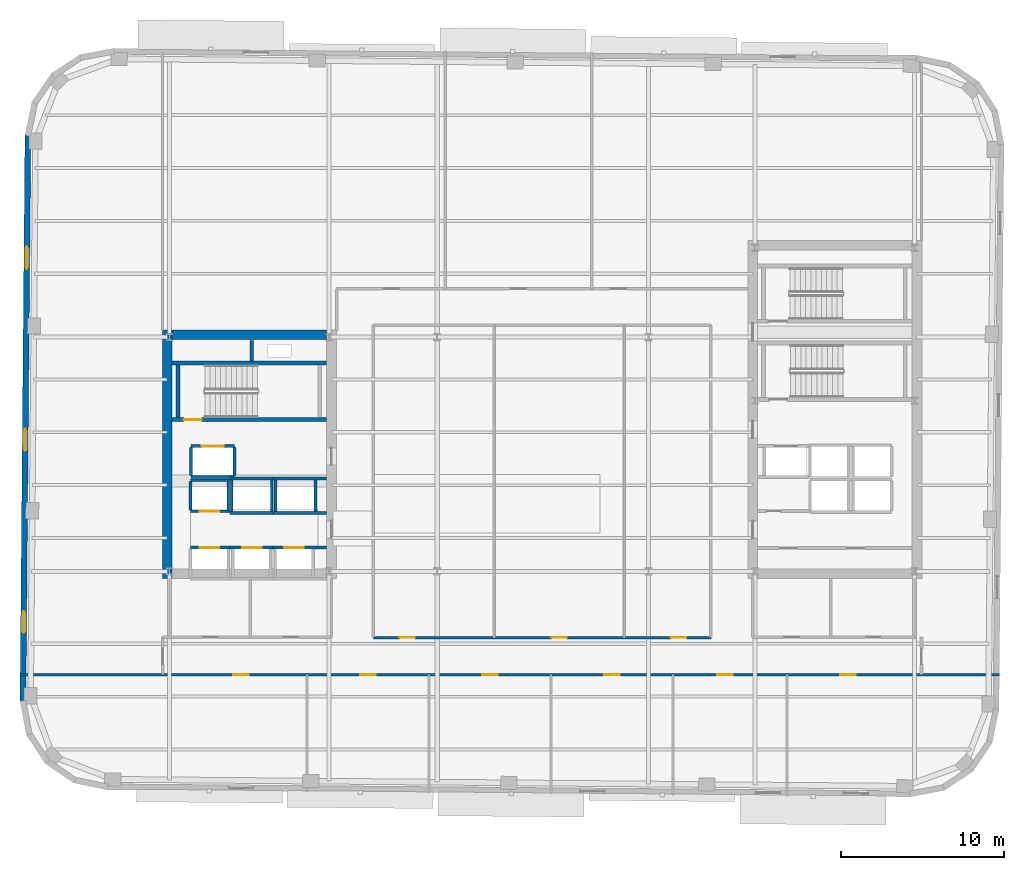
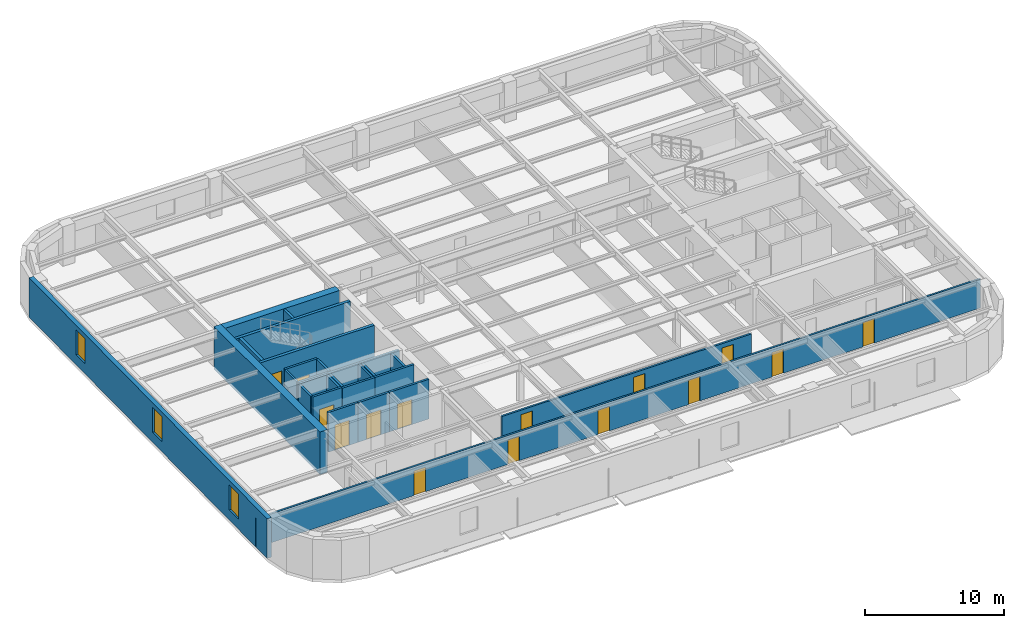
# One storey, part 4 of 11: 28 walls, 15 doors, 3 windows, 18 openings.
"""IFC4 building model written with IfcOpenShell, lengths in metres."""

from ifc_helpers import new_model, si_unit, direction, frame, frame_2d, origin, place, context, subcontext, project, spatial, rectangle, extrude, material, layer, layer_set, type_object, element, fill, save


model = new_model("IFC4")

# Units and contexts
model_context = context("Model", 3, precision=1e-05, world=origin(), true_north=direction((0.0, 1.0)))
body_context = subcontext(model_context, "Body", "Model", "MODEL_VIEW")
ifc_project = project(units=[si_unit("LENGTHUNIT", "METRE"), si_unit("AREAUNIT", "SQUARE_METRE"), si_unit("VOLUMEUNIT", "CUBIC_METRE"), si_unit("PLANEANGLEUNIT", "RADIAN"), si_unit("MASSUNIT", "GRAM", prefix="KILO")], contexts=[model_context])

# Site, building, storey
site_placement = place(None, origin())
site = spatial("IfcSite", under=ifc_project, at=site_placement, CompositionType="ELEMENT")
building_placement = place(site_placement, origin())
building = spatial("IfcBuilding", under=site, at=building_placement, Name="Kolvaren Arena Tower", CompositionType="ELEMENT")
storey_placement = place(building_placement, frame((0.0, 0.0, 195.949951171875)))
storey = spatial("IfcBuildingStorey", under=building, at=storey_placement, Name="L47", CompositionType="ELEMENT", Elevation=195.949951171875)

# Wall, openings, doors
ifc_material_1 = material(Name="Gypsum board acoustic assembly", Category="gypsum")
ifc_layer_1 = layer(ifc_material_1, 0.159912109375)
ifc_layer_set_1 = layer_set([ifc_layer_1], Name="Gypsum board acoustic assembly")
wall_type_1 = type_object("IfcWallType", Name="CORR-160", PredefinedType="PARTITIONING", material=ifc_layer_set_1)
wall_1_placement = place(storey_placement, frame((5.363525390625, 13.10009765625, 0.0), z_axis=(0.0, 0.0, 1.0), x_axis=(1.0, 0.0, 0.0)))
wall_1 = element("IfcWall", 1, at=wall_1_placement, inside=storey, type_object=wall_type_1, Name="Interior Partition Wall (L47)", PredefinedType="PARTITIONING", context=body_context, shape_type="SweptSolid", body=[
    extrude(rectangle(XDim=60.202392578125, YDim=0.159912109375, at=frame_2d((30.10107421875, 0.0))), origin(), (0.0, 0.0, 1.0), 2.5400390625),
])
opening_1_placement = place(wall_1_placement, frame((13.111328125, 0.0, 0.0)))
opening_1 = element("IfcOpeningElement", 2, at=opening_1_placement, cuts=wall_1, Name="Opening D05", PredefinedType="OPENING", context=body_context, shape_type="SweptSolid", body=[
    extrude(rectangle(XDim=0.949951171875, YDim=2.14990234375, at=frame_2d((0.47509765625, 1.074951171875))), frame((0.0, 0.08984375, 0.0), z_axis=(0.0, -1.0, 0.0), x_axis=(1.0, 0.0, 0.0)), (0.0, 0.0, 1.0), 0.179931640625),
])
opening_2_placement = place(wall_1_placement, frame((20.911376953125, 0.0, 0.0)))
opening_2 = element("IfcOpeningElement", 3, at=opening_2_placement, cuts=wall_1, Name="Opening D05", PredefinedType="OPENING", context=body_context, shape_type="SweptSolid", body=[
    extrude(rectangle(XDim=0.949951171875, YDim=2.14990234375, at=frame_2d((0.47509765625, 1.074951171875))), frame((0.0, 0.08984375, 0.0), z_axis=(0.0, -1.0, 0.0), x_axis=(1.0, 0.0, 0.0)), (0.0, 0.0, 1.0), 0.179931640625),
])
opening_3_placement = place(wall_1_placement, frame((28.411376953125, 0.0, 0.0)))
opening_3 = element("IfcOpeningElement", 4, at=opening_3_placement, cuts=wall_1, Name="Opening D05", PredefinedType="OPENING", context=body_context, shape_type="SweptSolid", body=[
    extrude(rectangle(XDim=0.949951171875, YDim=2.14990234375, at=frame_2d((0.47509765625, 1.074951171875))), frame((0.0, 0.08984375, 0.0), z_axis=(0.0, -1.0, 0.0), x_axis=(1.0, 0.0, 0.0)), (0.0, 0.0, 1.0), 0.179931640625),
])
opening_4_placement = place(wall_1_placement, frame((35.911376953125, 0.0, 0.0)))
opening_4 = element("IfcOpeningElement", 5, at=opening_4_placement, cuts=wall_1, Name="Opening D05", PredefinedType="OPENING", context=body_context, shape_type="SweptSolid", body=[
    extrude(rectangle(XDim=0.949951171875, YDim=2.14990234375, at=frame_2d((0.47509765625, 1.074951171875))), frame((0.0, 0.08984375, 0.0), z_axis=(0.0, -1.0, 0.0), x_axis=(1.0, 0.0, 0.0)), (0.0, 0.0, 1.0), 0.179931640625),
])
opening_5_placement = place(wall_1_placement, frame((42.861328125, 0.0, 0.0)))
opening_5 = element("IfcOpeningElement", 6, at=opening_5_placement, cuts=wall_1, Name="Opening D05", PredefinedType="OPENING", context=body_context, shape_type="SweptSolid", body=[
    extrude(rectangle(XDim=0.949951171875, YDim=2.14990234375, at=frame_2d((0.47509765625, 1.074951171875))), frame((0.0, 0.08984375, 0.0), z_axis=(0.0, -1.0, 0.0), x_axis=(1.0, 0.0, 0.0)), (0.0, 0.0, 1.0), 0.179931640625),
])
opening_6_placement = place(wall_1_placement, frame((50.411376953125, 0.0, 0.0)))
opening_6 = element("IfcOpeningElement", 7, at=opening_6_placement, cuts=wall_1, Name="Opening D05", PredefinedType="OPENING", context=body_context, shape_type="SweptSolid", body=[
    extrude(rectangle(XDim=0.949951171875, YDim=2.14990234375, at=frame_2d((0.47509765625, 1.074951171875))), frame((0.0, 0.08984375, 0.0), z_axis=(0.0, -1.0, 0.0), x_axis=(1.0, 0.0, 0.0)), (0.0, 0.0, 1.0), 0.179931640625),
])
ifc_material_2 = material(Name="Solid-core oak acoustic office door", Category="wood")
door_type_1 = type_object("IfcDoorType", Name="DOOR-OF-095", OperationType="NOTDEFINED", PredefinedType="DOOR", material=ifc_material_2)
door_1_placement = place(opening_1_placement, origin())
door_1 = element("IfcDoor", 8, at=door_1_placement, inside=storey, type_object=door_type_1, Name="Design Studio Door (L47)", OperationType="SINGLE_SWING_LEFT", OverallHeight=2.14990234375, OverallWidth=0.949951171875, PredefinedType="DOOR", context=body_context, shape_type="SweptSolid", body=[
    extrude(rectangle(XDim=0.949951171875, YDim=2.14990234375, at=frame_2d((0.47509765625, 1.074951171875))), frame((0.0, 0.02490234375, 0.0), z_axis=(0.0, -1.0, 0.0), x_axis=(1.0, 0.0, 0.0)), (0.0, 0.0, 1.0), 0.050048828125),
])
fill(opening_1, door_1)
door_2_placement = place(opening_2_placement, origin())
door_2 = element("IfcDoor", 9, at=door_2_placement, inside=storey, type_object=door_type_1, Name="Open Plan Office Door (L47)", OperationType="SINGLE_SWING_RIGHT", OverallHeight=2.14990234375, OverallWidth=0.949951171875, PredefinedType="DOOR", context=body_context, shape_type="SweptSolid", body=[
    extrude(rectangle(XDim=0.949951171875, YDim=2.14990234375, at=frame_2d((0.47509765625, 1.074951171875))), frame((0.0, 0.02490234375, 0.0), z_axis=(0.0, -1.0, 0.0), x_axis=(1.0, 0.0, 0.0)), (0.0, 0.0, 1.0), 0.050048828125),
])
fill(opening_2, door_2)
door_3_placement = place(opening_3_placement, origin())
door_3 = element("IfcDoor", 10, at=door_3_placement, inside=storey, type_object=door_type_1, Name="Design Studio Door (L47)", OperationType="SINGLE_SWING_LEFT", OverallHeight=2.14990234375, OverallWidth=0.949951171875, PredefinedType="DOOR", context=body_context, shape_type="SweptSolid", body=[
    extrude(rectangle(XDim=0.949951171875, YDim=2.14990234375, at=frame_2d((0.47509765625, 1.074951171875))), frame((0.0, 0.02490234375, 0.0), z_axis=(0.0, -1.0, 0.0), x_axis=(1.0, 0.0, 0.0)), (0.0, 0.0, 1.0), 0.050048828125),
])
fill(opening_3, door_3)
door_4_placement = place(opening_4_placement, origin())
door_4 = element("IfcDoor", 11, at=door_4_placement, inside=storey, type_object=door_type_1, Name="Wellness Room Door (L47)", OperationType="SINGLE_SWING_RIGHT", OverallHeight=2.14990234375, OverallWidth=0.949951171875, PredefinedType="DOOR", context=body_context, shape_type="SweptSolid", body=[
    extrude(rectangle(XDim=0.949951171875, YDim=2.14990234375, at=frame_2d((0.47509765625, 1.074951171875))), frame((0.0, 0.02490234375, 0.0), z_axis=(0.0, -1.0, 0.0), x_axis=(1.0, 0.0, 0.0)), (0.0, 0.0, 1.0), 0.050048828125),
])
fill(opening_4, door_4)
door_5_placement = place(opening_5_placement, origin())
door_5 = element("IfcDoor", 12, at=door_5_placement, inside=storey, type_object=door_type_1, Name="Boardroom Door (L47)", OperationType="SINGLE_SWING_LEFT", OverallHeight=2.14990234375, OverallWidth=0.949951171875, PredefinedType="DOOR", context=body_context, shape_type="SweptSolid", body=[
    extrude(rectangle(XDim=0.949951171875, YDim=2.14990234375, at=frame_2d((0.47509765625, 1.074951171875))), frame((0.0, 0.02490234375, 0.0), z_axis=(0.0, -1.0, 0.0), x_axis=(1.0, 0.0, 0.0)), (0.0, 0.0, 1.0), 0.050048828125),
])
fill(opening_5, door_5)
door_6_placement = place(opening_6_placement, origin())
door_6 = element("IfcDoor", 13, at=door_6_placement, inside=storey, type_object=door_type_1, Name="Breakout Pantry and Kitchen Door (L47)", OperationType="SINGLE_SWING_RIGHT", OverallHeight=2.14990234375, OverallWidth=0.949951171875, PredefinedType="DOOR", context=body_context, shape_type="SweptSolid", body=[
    extrude(rectangle(XDim=0.949951171875, YDim=2.14990234375, at=frame_2d((0.47509765625, 1.074951171875))), frame((0.0, 0.02490234375, 0.0), z_axis=(0.0, -1.0, 0.0), x_axis=(1.0, 0.0, 0.0)), (0.0, 0.0, 1.0), 0.050048828125),
])
fill(opening_6, door_6)

wall_2_placement = place(storey_placement, frame((27.080078125, 15.3798828125, 0.0), z_axis=(0.0, 0.0, 1.0), x_axis=(1.0, 0.0, 0.0)))
wall_2 = element("IfcWall", 14, at=wall_2_placement, inside=storey, type_object=wall_type_1, Name="Interior Partition Wall (L47)", PredefinedType="PARTITIONING", context=body_context, shape_type="SweptSolid", body=[
    extrude(rectangle(XDim=20.739990234375, YDim=0.159912109375, at=frame_2d((10.3701171875, 0.0))), origin(), (0.0, 0.0, 1.0), 2.5400390625),
])
opening_7_placement = place(wall_2_placement, frame((1.594970703125, 0.0, 0.0)))
opening_7 = element("IfcOpeningElement", 15, at=opening_7_placement, cuts=wall_2, Name="Opening D05", PredefinedType="OPENING", context=body_context, shape_type="SweptSolid", body=[
    extrude(rectangle(XDim=0.949951171875, YDim=2.14990234375, at=frame_2d((0.47509765625, 1.074951171875))), frame((0.0, 0.08984375, 0.0), z_axis=(0.0, -1.0, 0.0), x_axis=(1.0, 0.0, 0.0)), (0.0, 0.0, 1.0), 0.179931640625),
])
opening_8_placement = place(wall_2_placement, frame((10.945068359375, 0.0, 0.0)))
opening_8 = element("IfcOpeningElement", 16, at=opening_8_placement, cuts=wall_2, Name="Opening D05", PredefinedType="OPENING", context=body_context, shape_type="SweptSolid", body=[
    extrude(rectangle(XDim=0.949951171875, YDim=2.14990234375, at=frame_2d((0.47509765625, 1.074951171875))), frame((0.0, 0.08984375, 0.0), z_axis=(0.0, -1.0, 0.0), x_axis=(1.0, 0.0, 0.0)), (0.0, 0.0, 1.0), 0.179931640625),
])
opening_9_placement = place(wall_2_placement, frame((18.294921875, 0.0, 0.0)))
opening_9 = element("IfcOpeningElement", 17, at=opening_9_placement, cuts=wall_2, Name="Opening D05", PredefinedType="OPENING", context=body_context, shape_type="SweptSolid", body=[
    extrude(rectangle(XDim=0.949951171875, YDim=2.14990234375, at=frame_2d((0.47509765625, 1.074951171875))), frame((0.0, 0.08984375, 0.0), z_axis=(0.0, -1.0, 0.0), x_axis=(1.0, 0.0, 0.0)), (0.0, 0.0, 1.0), 0.179931640625),
])
door_7_placement = place(opening_7_placement, origin())
door_7 = element("IfcDoor", 18, at=door_7_placement, inside=storey, type_object=door_type_1, Name="Wellness Room Door (L47)", OperationType="SINGLE_SWING_RIGHT", OverallHeight=2.14990234375, OverallWidth=0.949951171875, PredefinedType="DOOR", context=body_context, shape_type="SweptSolid", body=[
    extrude(rectangle(XDim=0.949951171875, YDim=2.14990234375, at=frame_2d((0.47509765625, 1.074951171875))), frame((0.0, 0.02490234375, 0.0), z_axis=(0.0, -1.0, 0.0), x_axis=(1.0, 0.0, 0.0)), (0.0, 0.0, 1.0), 0.050048828125),
])
fill(opening_7, door_7)
door_8_placement = place(opening_8_placement, origin())
door_8 = element("IfcDoor", 19, at=door_8_placement, inside=storey, type_object=door_type_1, Name="Corporate Project Office Door (L47)", OperationType="SINGLE_SWING_LEFT", OverallHeight=2.14990234375, OverallWidth=0.949951171875, PredefinedType="DOOR", context=body_context, shape_type="SweptSolid", body=[
    extrude(rectangle(XDim=0.949951171875, YDim=2.14990234375, at=frame_2d((0.47509765625, 1.074951171875))), frame((0.0, 0.02490234375, 0.0), z_axis=(0.0, -1.0, 0.0), x_axis=(1.0, 0.0, 0.0)), (0.0, 0.0, 1.0), 0.050048828125),
])
fill(opening_8, door_8)
door_9_placement = place(opening_9_placement, origin())
door_9 = element("IfcDoor", 20, at=door_9_placement, inside=storey, type_object=door_type_1, Name="Breakout Pantry and Kitchen Door (L47)", OperationType="SINGLE_SWING_RIGHT", OverallHeight=2.14990234375, OverallWidth=0.949951171875, PredefinedType="DOOR", context=body_context, shape_type="SweptSolid", body=[
    extrude(rectangle(XDim=0.949951171875, YDim=2.14990234375, at=frame_2d((0.47509765625, 1.074951171875))), frame((0.0, 0.02490234375, 0.0), z_axis=(0.0, -1.0, 0.0), x_axis=(1.0, 0.0, 0.0)), (0.0, 0.0, 1.0), 0.050048828125),
])
fill(opening_9, door_9)

# Walls
ifc_material_3 = material(Name="Concrete 60 MPa", Category="concrete")
ifc_layer_2 = layer(ifc_material_3, 0.60009765625)
ifc_layer_set_2 = layer_set([ifc_layer_2], Name="Concrete 60 MPa")
wall_type_2 = type_object("IfcWallType", Name="CWALL-600", PredefinedType="SHEAR", material=ifc_layer_set_2)
wall_3_placement = place(storey_placement, frame((14.39990234375, 19.0, -0.27001953125), z_axis=(0.0, 0.0, 1.0), x_axis=(0.0, 1.0, 0.0)))
element("IfcWall", 21, at=wall_3_placement, inside=storey, type_object=wall_type_2, Name="Core Shear Wall WC-WEST (L47)", PredefinedType="SHEAR", context=body_context, shape_type="SweptSolid", body=[
    extrude(rectangle(XDim=15.300048828125, YDim=0.60009765625, at=frame_2d((7.64990234375, 0.0))), origin(), (0.0, 0.0, 1.0), 3.75),
])
wall_4_placement = place(storey_placement, frame((14.699951171875, 34.0, -0.27001953125), z_axis=(0.0, 0.0, 1.0), x_axis=(1.0, 0.0, 0.0)))
element("IfcWall", 22, at=wall_4_placement, inside=storey, type_object=wall_type_2, Name="Core Shear Wall WC-NORTH (L47)", PredefinedType="SHEAR", context=body_context, shape_type="SweptSolid", body=[
    extrude(rectangle(XDim=9.5, YDim=0.60009765625, at=frame_2d((4.75, 0.0))), origin(), (0.0, 0.0, 1.0), 3.75),
])

# Wall, openings, windows
ifc_material_4 = material(Name="Precast concrete C50/60", Category="concrete")
ifc_layer_3 = layer(ifc_material_4, 0.360107421875)
ifc_layer_set_3 = layer_set([ifc_layer_3], Name="Precast concrete C50/60")
wall_type_3 = type_object("IfcWallType", Name="EXT-PIER2", PredefinedType="SOLIDWALL", material=ifc_layer_set_3)
wall_5_placement = place(storey_placement, frame((5.529296875, 11.461669921875, 0.0), z_axis=(0.0, 0.0, 1.0), x_axis=(0.008727287311, 0.999961916503, 0.0)))
wall_5 = element("IfcWall", 23, at=wall_5_placement, inside=storey, type_object=wall_type_3, Name="Exterior Precast Masonry-Frame Wall (L47)", PredefinedType="SOLIDWALL", context=body_context, shape_type="SweptSolid", body=[
    extrude(rectangle(XDim=34.800048828125, YDim=0.360107421875, at=frame_2d((17.39990234375, 0.0))), origin(), (0.0, 0.0, 1.0), 3.47998046875),
])
opening_10_placement = place(wall_5_placement, frame((4.199951171875, 0.0, 0.8798828125)))
opening_10 = element("IfcOpeningElement", 24, at=opening_10_placement, cuts=wall_5, Name="Opening W04", PredefinedType="OPENING", context=body_context, shape_type="SweptSolid", body=[
    extrude(rectangle(XDim=1.35009765625, YDim=2.199951171875, at=frame_2d((0.675048828125, 1.10009765625))), frame((0.0, 0.18994140625, 0.0), z_axis=(0.0, -1.0, 0.0), x_axis=(1.0, 0.0, 0.0)), (0.0, 0.0, 1.0), 0.380126953125),
])
opening_11_placement = place(wall_5_placement, frame((15.39990234375, 0.0, 0.8798828125)))
opening_11 = element("IfcOpeningElement", 25, at=opening_11_placement, cuts=wall_5, Name="Opening W04", PredefinedType="OPENING", context=body_context, shape_type="SweptSolid", body=[
    extrude(rectangle(XDim=1.35009765625, YDim=2.199951171875, at=frame_2d((0.675048828125, 1.10009765625))), frame((0.0, 0.18994140625, 0.0), z_axis=(0.0, -1.0, 0.0), x_axis=(1.0, 0.0, 0.0)), (0.0, 0.0, 1.0), 0.380126953125),
])
opening_12_placement = place(wall_5_placement, frame((26.60009765625, 0.0, 0.8798828125)))
opening_12 = element("IfcOpeningElement", 26, at=opening_12_placement, cuts=wall_5, Name="Opening W04", PredefinedType="OPENING", context=body_context, shape_type="SweptSolid", body=[
    extrude(rectangle(XDim=1.35009765625, YDim=2.199951171875, at=frame_2d((0.675048828125, 1.10009765625))), frame((0.0, 0.18994140625, 0.0), z_axis=(0.0, -1.0, 0.0), x_axis=(1.0, 0.0, 0.0)), (0.0, 0.0, 1.0), 0.380126953125),
])
ifc_material_5 = material(Name="Triple-glazed curved-facet corner window", Category="glass")
window_type = type_object("IfcWindowType", Name="WIN-CRN-A", PartitioningType="SINGLE_PANEL", PredefinedType="WINDOW", material=ifc_material_5)
window_1_placement = place(opening_10_placement, origin())
window_1 = element("IfcWindow", 27, at=window_1_placement, inside=storey, type_object=window_type, Name="End-Wall Punched Window (L47)", OverallHeight=2.199951171875, OverallWidth=1.35009765625, PartitioningType="SINGLE_PANEL", PredefinedType="WINDOW", context=body_context, shape_type="SweptSolid", body=[
    extrude(rectangle(XDim=1.35009765625, YDim=2.199951171875, at=frame_2d((0.675048828125, 1.10009765625))), frame((0.0, 0.030029296875, 0.0), z_axis=(0.0, -1.0, 0.0), x_axis=(1.0, 0.0, 0.0)), (0.0, 0.0, 1.0), 0.06005859375),
])
fill(opening_10, window_1)
window_2_placement = place(opening_11_placement, origin())
window_2 = element("IfcWindow", 28, at=window_2_placement, inside=storey, type_object=window_type, Name="End-Wall Punched Window (L47)", OverallHeight=2.199951171875, OverallWidth=1.35009765625, PartitioningType="SINGLE_PANEL", PredefinedType="WINDOW", context=body_context, shape_type="SweptSolid", body=[
    extrude(rectangle(XDim=1.35009765625, YDim=2.199951171875, at=frame_2d((0.675048828125, 1.10009765625))), frame((0.0, 0.030029296875, 0.0), z_axis=(0.0, -1.0, 0.0), x_axis=(1.0, 0.0, 0.0)), (0.0, 0.0, 1.0), 0.06005859375),
])
fill(opening_11, window_2)
window_3_placement = place(opening_12_placement, origin())
window_3 = element("IfcWindow", 29, at=window_3_placement, inside=storey, type_object=window_type, Name="End-Wall Punched Window (L47)", OverallHeight=2.199951171875, OverallWidth=1.35009765625, PartitioningType="SINGLE_PANEL", PredefinedType="WINDOW", context=body_context, shape_type="SweptSolid", body=[
    extrude(rectangle(XDim=1.35009765625, YDim=2.199951171875, at=frame_2d((0.675048828125, 1.10009765625))), frame((0.0, 0.030029296875, 0.0), z_axis=(0.0, -1.0, 0.0), x_axis=(1.0, 0.0, 0.0)), (0.0, 0.0, 1.0), 0.06005859375),
])
fill(opening_12, window_3)

# Wall, opening, door
ifc_material_6 = material(Name="Concrete 45 MPa", Category="concrete")
ifc_layer_4 = layer(ifc_material_6, 0.25)
ifc_layer_set_4 = layer_set([ifc_layer_4], Name="Concrete 45 MPa")
wall_type_4 = type_object("IfcWallType", Name="SHAFT-250", PredefinedType="SOLIDWALL", material=ifc_layer_set_4)
wall_6_placement = place(storey_placement, frame((24.199951171875, 28.780029296875, 0.0), z_axis=(0.0, 0.0, 1.0), x_axis=(-1.0, 0.0, 0.0)))
wall_6 = element("IfcWall", 30, at=wall_6_placement, inside=storey, type_object=wall_type_4, Name="Core Shaft Wall (L47)", PredefinedType="SOLIDWALL", context=body_context, shape_type="SweptSolid", body=[
    extrude(rectangle(XDim=9.5, YDim=0.239990234375, at=frame_2d((4.75, 0.0))), origin(), (0.0, 0.0, 1.0), 3.47998046875),
])
opening_13_placement = place(wall_6_placement, frame((7.679931640625, 0.0, 0.0)))
opening_13 = element("IfcOpeningElement", 31, at=opening_13_placement, cuts=wall_6, Name="Opening D03", PredefinedType="OPENING", context=body_context, shape_type="SweptSolid", body=[
    extrude(rectangle(XDim=1.10009765625, YDim=2.14990234375, at=frame_2d((0.550048828125, 1.074951171875))), frame((0.0, 0.1298828125, 0.0), z_axis=(0.0, -1.0, 0.0), x_axis=(1.0, 0.0, 0.0)), (0.0, 0.0, 1.0), 0.260009765625),
])
ifc_material_7 = material(Name="Fire-rated steel exit stair door", Category="steel")
door_type_2 = type_object("IfcDoorType", Name="DOOR-ST-110", OperationType="NOTDEFINED", PredefinedType="DOOR", material=ifc_material_7)
door_10_placement = place(opening_13_placement, origin())
door_10 = element("IfcDoor", 32, at=door_10_placement, inside=storey, type_object=door_type_2, Name="Stair ST-W1 Fire Door (L47)", OperationType="SINGLE_SWING_RIGHT", OverallHeight=2.14990234375, OverallWidth=1.10009765625, PredefinedType="DOOR", context=body_context, shape_type="SweptSolid", body=[
    extrude(rectangle(XDim=1.10009765625, YDim=2.14990234375, at=frame_2d((0.550048828125, 1.074951171875))), frame((0.0, 0.02490234375, 0.0), z_axis=(0.0, -1.0, 0.0), x_axis=(1.0, 0.0, 0.0)), (0.0, 0.0, 1.0), 0.050048828125),
])
fill(opening_13, door_10)

# Walls
wall_7_placement = place(storey_placement, frame((14.699951171875, 32.25, 0.0), z_axis=(0.0, 0.0, 1.0), x_axis=(1.0, 0.0, 0.0)))
element("IfcWall", 33, at=wall_7_placement, inside=storey, type_object=wall_type_4, Name="Core Shaft Wall (L47)", PredefinedType="SOLIDWALL", context=body_context, shape_type="SweptSolid", body=[
    extrude(rectangle(XDim=9.5, YDim=0.239990234375, at=frame_2d((4.75, 0.0))), origin(), (0.0, 0.0, 1.0), 3.47998046875),
])
wall_8_placement = place(storey_placement, frame((15.06005859375, 28.89990234375, 0.0), z_axis=(0.0, 0.0, 1.0), x_axis=(0.0, 1.0, 0.0)))
element("IfcWall", 34, at=wall_8_placement, inside=storey, type_object=wall_type_4, Name="Core Shaft Wall (L47)", PredefinedType="SOLIDWALL", context=body_context, shape_type="SweptSolid", body=[
    extrude(rectangle(XDim=3.22998046875, YDim=0.239990234375, at=frame_2d((1.614990234375, 0.0))), origin(), (0.0, 0.0, 1.0), 3.47998046875),
])
wall_9_placement = place(storey_placement, frame((19.60009765625, 32.3701171875, 0.0), z_axis=(0.0, 0.0, 1.0), x_axis=(0.0, 1.0, 0.0)))
element("IfcWall", 35, at=wall_9_placement, inside=storey, type_object=wall_type_4, Name="Core Shaft Wall (L47)", PredefinedType="SOLIDWALL", context=body_context, shape_type="SweptSolid", body=[
    extrude(rectangle(XDim=1.27978515625, YDim=0.199951171875, at=frame_2d((0.639892578125, 0.0))), origin(), (0.0, 0.0, 1.0), 3.47998046875),
])

# Wall, opening, door
wall_10_placement = place(storey_placement, frame((15.844970703125, 20.905029296875, 0.0), z_axis=(0.0, 0.0, 1.0), x_axis=(1.0, 0.0, 0.0)))
wall_10 = element("IfcWall", 36, at=wall_10_placement, inside=storey, type_object=wall_type_4, Name="Core Shaft Wall (L47)", PredefinedType="SOLIDWALL", context=body_context, shape_type="SweptSolid", body=[
    extrude(rectangle(XDim=2.455078125, YDim=0.179931640625, at=frame_2d((1.2275390625, 0.0))), origin(), (0.0, 0.0, 1.0), 3.47998046875),
])
opening_14_placement = place(wall_10_placement, frame((0.554931640625, 0.0, 0.0)))
opening_14 = element("IfcOpeningElement", 37, at=opening_14_placement, cuts=wall_10, Name="Opening LD1", PredefinedType="OPENING", context=body_context, shape_type="SweptSolid", body=[
    extrude(rectangle(XDim=1.199951171875, YDim=2.199951171875, at=frame_2d((0.60009765625, 1.10009765625))), frame((0.0, 0.099853515625, 0.0), z_axis=(0.0, -1.0, 0.0), x_axis=(1.0, 0.0, 0.0)), (0.0, 0.0, 1.0), 0.199951171875),
])
ifc_material_8 = material(Name="Stainless steel passenger lift landing door", Category="steel")
door_type_3 = type_object("IfcDoorType", Name="DOOR-LD-120", OperationType="DOUBLE_DOOR_SLIDING", PredefinedType="DOOR", material=ifc_material_8)
door_11_placement = place(opening_14_placement, origin())
door_11 = element("IfcDoor", 38, at=door_11_placement, inside=storey, type_object=door_type_3, Name="Lift EL-MR1 Landing Door (L47)", OperationType="DOUBLE_DOOR_SLIDING", OverallHeight=2.199951171875, OverallWidth=1.199951171875, PredefinedType="DOOR", context=body_context, shape_type="SweptSolid", body=[
    extrude(rectangle(XDim=1.199951171875, YDim=2.199951171875, at=frame_2d((0.60009765625, 1.10009765625))), frame((0.0, 0.02490234375, 0.0), z_axis=(0.0, -1.0, 0.0), x_axis=(1.0, 0.0, 0.0)), (0.0, 0.0, 1.0), 0.050048828125),
])
fill(opening_14, door_11)

wall_11_placement = place(storey_placement, frame((18.300048828125, 20.905029296875, 0.0), z_axis=(0.0, 0.0, 1.0), x_axis=(1.0, 0.0, 0.0)))
wall_11 = element("IfcWall", 39, at=wall_11_placement, inside=storey, type_object=wall_type_4, Name="Core Shaft Wall (L47)", PredefinedType="SOLIDWALL", context=body_context, shape_type="SweptSolid", body=[
    extrude(rectangle(XDim=2.599853515625, YDim=0.179931640625, at=frame_2d((1.2998046875, 0.0))), origin(), (0.0, 0.0, 1.0), 3.47998046875),
])
opening_15_placement = place(wall_11_placement, frame((0.699951171875, 0.0, 0.0)))
opening_15 = element("IfcOpeningElement", 40, at=opening_15_placement, cuts=wall_11, Name="Opening LD1", PredefinedType="OPENING", context=body_context, shape_type="SweptSolid", body=[
    extrude(rectangle(XDim=1.199951171875, YDim=2.199951171875, at=frame_2d((0.60009765625, 1.10009765625))), frame((0.0, 0.099853515625, 0.0), z_axis=(0.0, -1.0, 0.0), x_axis=(1.0, 0.0, 0.0)), (0.0, 0.0, 1.0), 0.199951171875),
])
door_12_placement = place(opening_15_placement, origin())
door_12 = element("IfcDoor", 41, at=door_12_placement, inside=storey, type_object=door_type_3, Name="Lift EL-MR2 Landing Door (L47)", OperationType="DOUBLE_DOOR_SLIDING", OverallHeight=2.199951171875, OverallWidth=1.199951171875, PredefinedType="DOOR", context=body_context, shape_type="SweptSolid", body=[
    extrude(rectangle(XDim=1.199951171875, YDim=2.199951171875, at=frame_2d((0.60009765625, 1.10009765625))), frame((0.0, 0.02490234375, 0.0), z_axis=(0.0, -1.0, 0.0), x_axis=(1.0, 0.0, 0.0)), (0.0, 0.0, 1.0), 0.050048828125),
])
fill(opening_15, door_12)

wall_12_placement = place(storey_placement, frame((20.89990234375, 20.905029296875, 0.0), z_axis=(0.0, 0.0, 1.0), x_axis=(1.0, 0.0, 0.0)))
wall_12 = element("IfcWall", 42, at=wall_12_placement, inside=storey, type_object=wall_type_4, Name="Core Shaft Wall (L47)", PredefinedType="SOLIDWALL", context=body_context, shape_type="SweptSolid", body=[
    extrude(rectangle(XDim=3.300048828125, YDim=0.179931640625, at=frame_2d((1.64990234375, 0.0))), origin(), (0.0, 0.0, 1.0), 3.47998046875),
])
opening_16_placement = place(wall_12_placement, frame((0.699951171875, 0.0, 0.0)))
opening_16 = element("IfcOpeningElement", 43, at=opening_16_placement, cuts=wall_12, Name="Opening LD1", PredefinedType="OPENING", context=body_context, shape_type="SweptSolid", body=[
    extrude(rectangle(XDim=1.199951171875, YDim=2.199951171875, at=frame_2d((0.60009765625, 1.10009765625))), frame((0.0, 0.099853515625, 0.0), z_axis=(0.0, -1.0, 0.0), x_axis=(1.0, 0.0, 0.0)), (0.0, 0.0, 1.0), 0.199951171875),
])
door_13_placement = place(opening_16_placement, origin())
door_13 = element("IfcDoor", 44, at=door_13_placement, inside=storey, type_object=door_type_3, Name="Lift EL-MR3 Landing Door (L47)", OperationType="DOUBLE_DOOR_SLIDING", OverallHeight=2.199951171875, OverallWidth=1.199951171875, PredefinedType="DOOR", context=body_context, shape_type="SweptSolid", body=[
    extrude(rectangle(XDim=1.199951171875, YDim=2.199951171875, at=frame_2d((0.60009765625, 1.10009765625))), frame((0.0, 0.02490234375, 0.0), z_axis=(0.0, -1.0, 0.0), x_axis=(1.0, 0.0, 0.0)), (0.0, 0.0, 1.0), 0.050048828125),
])
fill(opening_16, door_13)

# Wall
wall_13_placement = place(storey_placement, frame((15.844970703125, 25.054931640625, 0.0), z_axis=(0.0, 0.0, 1.0), x_axis=(1.0, 0.0, 0.0)))
element("IfcWall", 45, at=wall_13_placement, inside=storey, type_object=wall_type_4, Name="Core Shaft Wall (L47)", PredefinedType="SOLIDWALL", context=body_context, shape_type="SweptSolid", body=[
    extrude(rectangle(XDim=2.41748046875, YDim=0.179931640625, at=frame_2d((1.208740234375, 0.0))), origin(), (0.0, 0.0, 1.0), 3.47998046875),
])

# Wall, opening, door
wall_14_placement = place(storey_placement, frame((15.844970703125, 23.14501953125, 0.0), z_axis=(0.0, 0.0, 1.0), x_axis=(1.0, 0.0, 0.0)))
wall_14 = element("IfcWall", 46, at=wall_14_placement, inside=storey, type_object=wall_type_4, Name="Core Shaft Wall (L47)", PredefinedType="SOLIDWALL", context=body_context, shape_type="SweptSolid", body=[
    extrude(rectangle(XDim=2.41748046875, YDim=0.179931640625, at=frame_2d((1.208740234375, 0.0))), origin(), (0.0, 0.0, 1.0), 3.47998046875),
])
opening_17_placement = place(wall_14_placement, frame((0.554931640625, 0.0, 0.0)))
opening_17 = element("IfcOpeningElement", 47, at=opening_17_placement, cuts=wall_14, Name="Opening LD1", PredefinedType="OPENING", context=body_context, shape_type="SweptSolid", body=[
    extrude(rectangle(XDim=1.199951171875, YDim=2.199951171875, at=frame_2d((0.60009765625, 1.10009765625))), frame((0.0, 0.099853515625, 0.0), z_axis=(0.0, -1.0, 0.0), x_axis=(1.0, 0.0, 0.0)), (0.0, 0.0, 1.0), 0.199951171875),
])
door_14_placement = place(opening_17_placement, origin())
door_14 = element("IfcDoor", 48, at=door_14_placement, inside=storey, type_object=door_type_3, Name="Lift EL-MR4 Landing Door (L47)", OperationType="DOUBLE_DOOR_SLIDING", OverallHeight=2.199951171875, OverallWidth=1.199951171875, PredefinedType="DOOR", context=body_context, shape_type="SweptSolid", body=[
    extrude(rectangle(XDim=1.199951171875, YDim=2.199951171875, at=frame_2d((0.60009765625, 1.10009765625))), frame((0.0, 0.02490234375, 0.0), z_axis=(0.0, -1.0, 0.0), x_axis=(1.0, 0.0, 0.0)), (0.0, 0.0, 1.0), 0.050048828125),
])
fill(opening_17, door_14)

# Walls
for number, where, z_axis, x_axis, name in (
    (49, (15.844970703125, 23.235107421875, 0.0), (0.0, 0.0, 1.0), (0.0, 1.0, 0.0), "Core Shaft Wall (L47)"),
    (50, (18.155029296875, 23.235107421875, 0.0), (0.0, 0.0, 1.0), (0.0, 1.0, 0.0), "Core Shaft Wall (L47)"),
):
    element("IfcWall", number, at=place(storey_placement, frame(where, z_axis=z_axis, x_axis=x_axis)), inside=storey, type_object=wall_type_4, Name=name, PredefinedType="SOLIDWALL", context=body_context, shape_type="SweptSolid", body=[
        extrude(rectangle(XDim=1.72998046875, YDim=0.179931640625, at=frame_2d((0.864990234375, 0.0))), origin(), (0.0, 0.0, 1.0), 3.47998046875),
    ])
for number, where, z_axis, x_axis, name in (
    (51, (18.262451171875, 25.155029296875, 0.0), (0.0, 0.0, 1.0), (1.0, 0.0, 0.0), "Core Shaft Wall (L47)"),
    (52, (18.262451171875, 23.044921875, 0.0), (0.0, 0.0, 1.0), (1.0, 0.0, 0.0), "Core Shaft Wall (L47)"),
):
    element("IfcWall", number, at=place(storey_placement, frame(where, z_axis=z_axis, x_axis=x_axis)), inside=storey, type_object=wall_type_4, Name=name, PredefinedType="SOLIDWALL", context=body_context, shape_type="SweptSolid", body=[
        extrude(rectangle(XDim=2.6875, YDim=0.179931640625, at=frame_2d((1.34375, 0.0))), origin(), (0.0, 0.0, 1.0), 3.47998046875),
    ])
for number, where, z_axis, x_axis, name in (
    (53, (18.3701171875, 23.135009765625, 0.0), (0.0, 0.0, 1.0), (0.0, 1.0, 0.0), "Core Shaft Wall (L47)"),
    (54, (20.830078125, 23.135009765625, 0.0), (0.0, 0.0, 1.0), (0.0, 1.0, 0.0), "Core Shaft Wall (L47)"),
):
    element("IfcWall", number, at=place(storey_placement, frame(where, z_axis=z_axis, x_axis=x_axis)), inside=storey, type_object=wall_type_4, Name=name, PredefinedType="SOLIDWALL", context=body_context, shape_type="SweptSolid", body=[
        extrude(rectangle(XDim=1.929931640625, YDim=0.179931640625, at=frame_2d((0.96484375, 0.0))), origin(), (0.0, 0.0, 1.0), 3.47998046875),
    ])
for number, where, z_axis, x_axis, name in (
    (55, (20.949951171875, 25.155029296875, 0.0), (0.0, 0.0, 1.0), (1.0, 0.0, 0.0), "Core Shaft Wall (L47)"),
    (56, (20.949951171875, 23.044921875, 0.0), (0.0, 0.0, 1.0), (1.0, 0.0, 0.0), "Core Shaft Wall (L47)"),
):
    element("IfcWall", number, at=place(storey_placement, frame(where, z_axis=z_axis, x_axis=x_axis)), inside=storey, type_object=wall_type_4, Name=name, PredefinedType="SOLIDWALL", context=body_context, shape_type="SweptSolid", body=[
        extrude(rectangle(XDim=3.25, YDim=0.179931640625, at=frame_2d((1.625, 0.0))), origin(), (0.0, 0.0, 1.0), 3.47998046875),
    ])
for number, where, z_axis, x_axis, name in (
    (57, (21.070068359375, 23.135009765625, 0.0), (0.0, 0.0, 1.0), (0.0, 1.0, 0.0), "Core Shaft Wall (L47)"),
    (58, (23.530029296875, 23.135009765625, 0.0), (0.0, 0.0, 1.0), (0.0, 1.0, 0.0), "Core Shaft Wall (L47)"),
):
    element("IfcWall", number, at=place(storey_placement, frame(where, z_axis=z_axis, x_axis=x_axis)), inside=storey, type_object=wall_type_4, Name=name, PredefinedType="SOLIDWALL", context=body_context, shape_type="SweptSolid", body=[
        extrude(rectangle(XDim=1.929931640625, YDim=0.179931640625, at=frame_2d((0.96484375, 0.0))), origin(), (0.0, 0.0, 1.0), 3.47998046875),
    ])

# Wall, opening, door
wall_15_placement = place(storey_placement, frame((15.8701171875, 27.155029296875, 0.0), z_axis=(0.0, 0.0, 1.0), x_axis=(1.0, 0.0, 0.0)))
wall_15 = element("IfcWall", 59, at=wall_15_placement, inside=storey, type_object=wall_type_4, Name="Core Shaft Wall (L47)", PredefinedType="SOLIDWALL", context=body_context, shape_type="SweptSolid", body=[
    extrude(rectangle(XDim=2.659912109375, YDim=0.179931640625, at=frame_2d((1.330078125, 0.0))), origin(), (0.0, 0.0, 1.0), 3.47998046875),
])
opening_18_placement = place(wall_15_placement, frame((0.655029296875, 0.0, 0.0)))
opening_18 = element("IfcOpeningElement", 60, at=opening_18_placement, cuts=wall_15, Name="Opening LD2", PredefinedType="OPENING", context=body_context, shape_type="SweptSolid", body=[
    extrude(rectangle(XDim=1.35009765625, YDim=2.300048828125, at=frame_2d((0.675048828125, 1.14990234375))), frame((0.0, 0.099853515625, 0.0), z_axis=(0.0, -1.0, 0.0), x_axis=(1.0, 0.0, 0.0)), (0.0, 0.0, 1.0), 0.199951171875),
])
ifc_material_9 = material(Name="Stainless steel firefighter lift landing door", Category="steel")
door_type_4 = type_object("IfcDoorType", Name="DOOR-LD-135", OperationType="DOUBLE_DOOR_SLIDING", PredefinedType="DOOR", material=ifc_material_9)
door_15_placement = place(opening_18_placement, origin())
door_15 = element("IfcDoor", 61, at=door_15_placement, inside=storey, type_object=door_type_4, Name="Firefighter Lift FF-W1 Landing Door (L47)", OperationType="DOUBLE_DOOR_SLIDING", OverallHeight=2.300048828125, OverallWidth=1.35009765625, PredefinedType="DOOR", context=body_context, shape_type="SweptSolid", body=[
    extrude(rectangle(XDim=1.35009765625, YDim=2.300048828125, at=frame_2d((0.675048828125, 1.14990234375))), frame((0.0, 0.02490234375, 0.0), z_axis=(0.0, -1.0, 0.0), x_axis=(1.0, 0.0, 0.0)), (0.0, 0.0, 1.0), 0.050048828125),
])
fill(opening_18, door_15)

# Walls
wall_16_placement = place(storey_placement, frame((15.8701171875, 25.2451171875, 0.0), z_axis=(0.0, 0.0, 1.0), x_axis=(1.0, 0.0, 0.0)))
element("IfcWall", 62, at=wall_16_placement, inside=storey, type_object=wall_type_4, Name="Core Shaft Wall (L47)", PredefinedType="SOLIDWALL", context=body_context, shape_type="SweptSolid", body=[
    extrude(rectangle(XDim=2.659912109375, YDim=0.179931640625, at=frame_2d((1.330078125, 0.0))), origin(), (0.0, 0.0, 1.0), 3.47998046875),
])
for number, where, z_axis, x_axis, name in (
    (63, (15.8701171875, 25.3349609375, 0.0), (0.0, 0.0, 1.0), (0.0, 1.0, 0.0), "Core Shaft Wall (L47)"),
    (64, (18.530029296875, 25.3349609375, 0.0), (0.0, 0.0, 1.0), (0.0, 1.0, 0.0), "Core Shaft Wall (L47)"),
):
    element("IfcWall", number, at=place(storey_placement, frame(where, z_axis=z_axis, x_axis=x_axis)), inside=storey, type_object=wall_type_4, Name=name, PredefinedType="SOLIDWALL", context=body_context, shape_type="SweptSolid", body=[
        extrude(rectangle(XDim=1.72998046875, YDim=0.179931640625, at=frame_2d((0.864990234375, 0.0))), origin(), (0.0, 0.0, 1.0), 3.47998046875),
    ])

save(model, "model.ifc")
